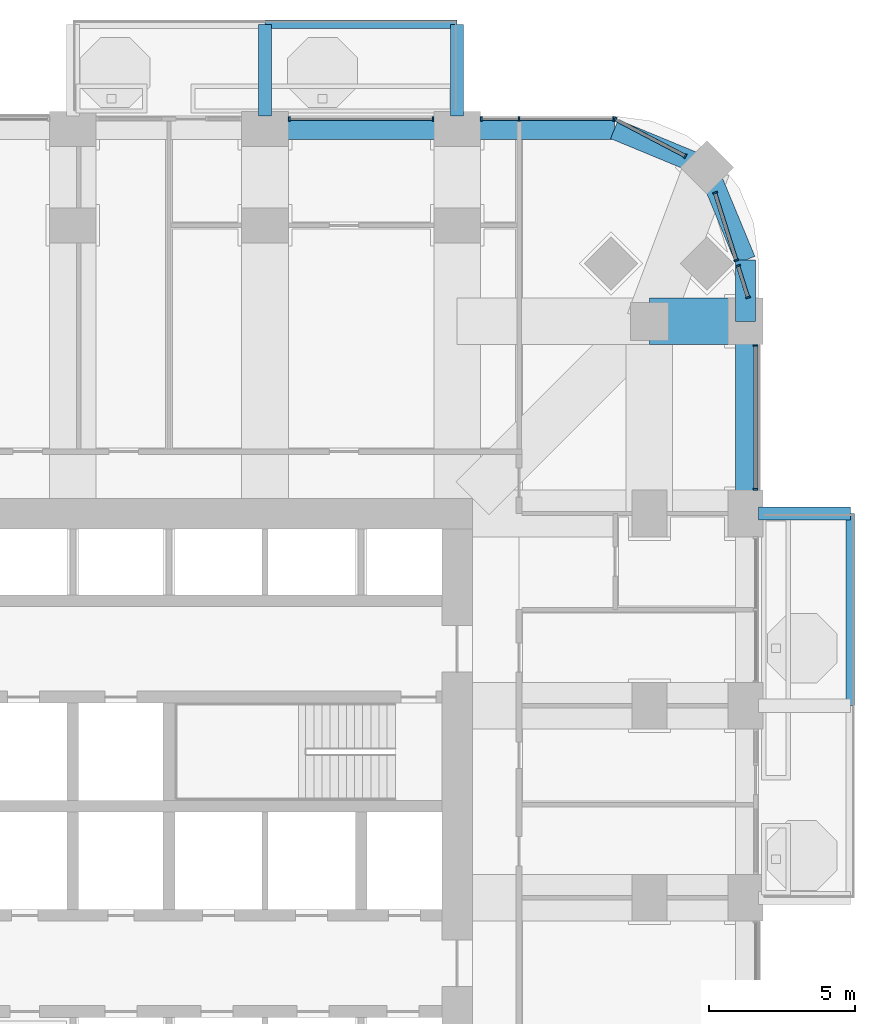
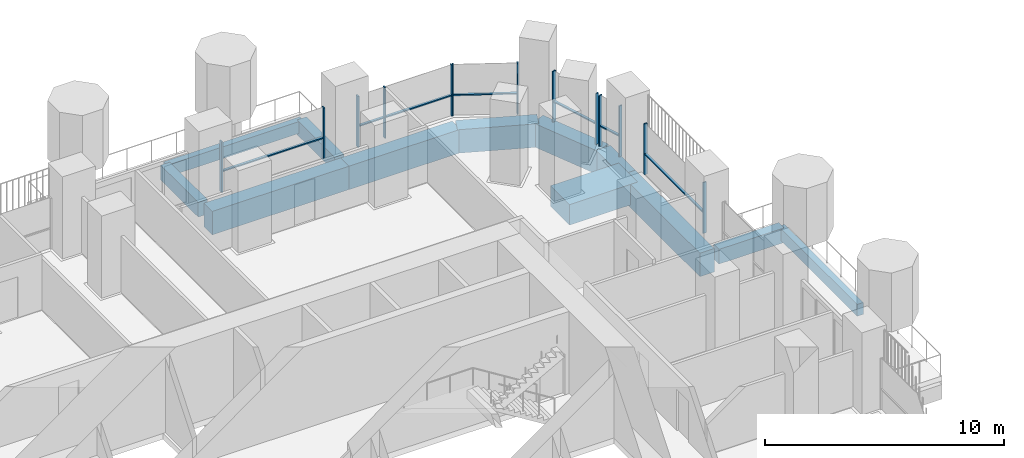
# One storey, part 8 of 22: 20 members, 12 beams, 6 elements without a shape of their own.
"""IFC4 building model written with IfcOpenShell, lengths in metres."""

from ifc_helpers import new_model, si_unit, direction, frame, origin, origin_2d, place, context, subcontext, project, spatial, rectangle, extrude, material, material_profile, profile_set, type_object, element, aggregate, save


model = new_model("IFC4")

# Units and contexts
model_context = context("Model", 3, precision=1e-05, world=origin(), true_north=direction((0.0, 1.0)))
body_context = subcontext(model_context, "Body", "Model", "MODEL_VIEW")
ifc_project = project(units=[si_unit("LENGTHUNIT", "METRE"), si_unit("AREAUNIT", "SQUARE_METRE"), si_unit("VOLUMEUNIT", "CUBIC_METRE"), si_unit("PLANEANGLEUNIT", "RADIAN"), si_unit("MASSUNIT", "GRAM", prefix="KILO")], contexts=[model_context])

# Site, building, storey
site_placement = place(None, origin())
site = spatial("IfcSite", under=ifc_project, at=site_placement, CompositionType="ELEMENT")
building_placement = place(site_placement, origin())
building = spatial("IfcBuilding", under=site, at=building_placement, Name="Cobogo Forest Laboratory Tower", CompositionType="ELEMENT")
storey_placement = place(building_placement, frame((0.0, 0.0, 136.800048828125)))
storey = spatial("IfcBuildingStorey", under=building, at=storey_placement, Name="L31", CompositionType="ELEMENT", Elevation=136.800048828125)

# Beams
ifc_material_1 = material(Name="Concrete HA-40 (C40/50)", Category="concrete")
ifc_material_profile_1 = material_profile(ifc_material_1, rectangle(XDim=0.449951171875, YDim=0.75, at=origin_2d()), Name="RC 450x750")
ifc_profile_set_1 = profile_set([ifc_material_profile_1], Name="Concrete HA-40 (C40/50)")
beam_type_1 = type_object("IfcBeamType", Name="Balcony cantilever beam 450x750", PredefinedType="BEAM", material=ifc_profile_set_1)
for number, where, z_axis, x_axis, name in (
    (1, (49.949951171875, 33.0, -0.625), (1.0, 0.0, 0.0), (0.0, 1.0, 0.0), "CB1 BAL-E1-C3 L31"),
    (2, (33.0, 46.64990234375, -0.625), (0.0, 1.0, 0.0), (-1.0, 0.0, 0.0), "CB1 BAL-N1-C2 L31"),
    (3, (39.60009765625, 46.64990234375, -0.625), (0.0, 1.0, 0.0), (-1.0, 0.0, 0.0), "CB1 BAL-N1-C3 L31"),
):
    element("IfcBeam", number, at=place(storey_placement, frame(where, z_axis=z_axis, x_axis=x_axis)), inside=storey, type_object=beam_type_1, Name=name, PredefinedType="BEAM", context=body_context, shape_type="SweptSolid", body=[
        extrude(rectangle(XDim=0.449951171875, YDim=0.75, at=origin_2d()), origin(), (0.0, 0.0, 1.0), 3.150146484375),
    ])
ifc_material_profile_2 = material_profile(ifc_material_1, rectangle(XDim=0.300048828125, YDim=0.60009765625, at=origin_2d()), Name="RC 300x600")
ifc_profile_set_2 = profile_set([ifc_material_profile_2], Name="Concrete HA-40 (C40/50)")
beam_type_2 = type_object("IfcBeamType", Name="Balcony edge beam 300x600", PredefinedType="BEAM", material=ifc_profile_set_2)
for number, where, z_axis, x_axis, name in (
    (4, (53.10009765625, 26.39990234375, -0.550048828125), (0.0, 1.0, 0.0), (-1.0, 0.0, 0.0), "BB1 BAL-E1-T2 L31"),
    (5, (33.0, 49.800048828125, -0.550048828125), (1.0, 0.0, 0.0), (0.0, 1.0, 0.0), "BB1 BAL-N1-T2 L31"),
):
    element("IfcBeam", number, at=place(storey_placement, frame(where, z_axis=z_axis, x_axis=x_axis)), inside=storey, type_object=beam_type_2, Name=name, PredefinedType="BEAM", context=body_context, shape_type="SweptSolid", body=[
        extrude(rectangle(XDim=0.300048828125, YDim=0.60009765625, at=origin_2d()), origin(), (0.0, 0.0, 1.0), 6.60009765625),
    ])
ifc_material_2 = material(Name="Concrete HA-50 (C50/60)", Category="concrete")
ifc_material_profile_3 = material_profile(ifc_material_2, rectangle(XDim=1.60009765625, YDim=1.050048828125, at=origin_2d()), Name="RC 1600x1050")
ifc_profile_set_3 = profile_set([ifc_material_profile_3], Name="Concrete HA-50 (C50/60)")
beam_type_3 = type_object("IfcBeamType", Name="Laboratory floor wide beam 1600x1050", PredefinedType="BEAM", material=ifc_profile_set_3)
beam_1_placement = place(storey_placement, frame((49.5, 39.60009765625, -0.824951171875), z_axis=(-1.0, 0.0, 0.0), x_axis=(0.0, -1.0, 0.0)))
element("IfcBeam", 6, at=beam_1_placement, inside=storey, type_object=beam_type_3, Name="RB8 G-NE-YF L31", PredefinedType="BEAM", context=body_context, shape_type="SweptSolid", body=[
    extrude(rectangle(XDim=1.60009765625, YDim=1.050048828125, at=origin_2d()), origin(), (0.0, 0.0, 1.0), 3.300048828125),
])

# Curtain wall, members
ifc_material_3 = material(Name="Aluminium curtain wall", Category="aluminium")
curtain_wall_type = type_object("IfcCurtainWallType", Name="CW-1 unitised curtain wall, clear glazing, laboratory floors zones A and B", PredefinedType="USERDEFINED", material=ifc_material_3)
curtain_wall_1_placement = place(storey_placement, origin())
curtain_wall_1 = element("IfcCurtainWall", 7, at=curtain_wall_1_placement, inside=storey, type_object=curtain_wall_type, Name="Curtain wall 14 L31", ObjectType="UNITISED CURTAIN WALL", PredefinedType="USERDEFINED")
ifc_material_4 = material(Name="Aluminium mullion", Category="aluminium")
ifc_material_profile_4 = material_profile(ifc_material_4, rectangle(XDim=0.06005859375, YDim=0.159912109375, at=origin_2d()), Name="AL 60x160")
ifc_profile_set_4 = profile_set([ifc_material_profile_4], Name="Aluminium mullion")
member_type_1 = type_object("IfcMemberType", Name="MU-1 aluminium mullion 60x160", PredefinedType="MULLION", material=ifc_profile_set_4)
member_1_placement = place(storey_placement, frame((49.85009765625, 33.830078125, 0.0), z_axis=(0.0, 0.0, 1.0), x_axis=(0.0, 1.0, 0.0)))
member_1 = element("IfcMember", 8, at=member_1_placement, type_object=member_type_1, Name="CW-1 mullion 1", PredefinedType="MULLION", context=body_context, shape_type="SweptSolid", body=[
    extrude(rectangle(XDim=0.06005859375, YDim=0.159912109375, at=origin_2d()), origin(), (0.0, 0.0, 1.0), 2.599853515625),
])
member_2_placement = place(storey_placement, frame((49.85009765625, 38.77001953125, 0.0), z_axis=(0.0, 0.0, 1.0), x_axis=(0.0, 1.0, 0.0)))
member_2 = element("IfcMember", 9, at=member_2_placement, type_object=member_type_1, Name="CW-1 mullion 2", PredefinedType="MULLION", context=body_context, shape_type="SweptSolid", body=[
    extrude(rectangle(XDim=0.06005859375, YDim=0.159912109375, at=origin_2d()), origin(), (0.0, 0.0, 1.0), 2.599853515625),
])

curtain_wall_2_placement = place(storey_placement, origin())
curtain_wall_2 = element("IfcCurtainWall", 10, at=curtain_wall_2_placement, inside=storey, type_object=curtain_wall_type, Name="Curtain wall 15 L31", ObjectType="UNITISED CURTAIN WALL", PredefinedType="USERDEFINED")
member_3_placement = place(storey_placement, frame((49.58837890625, 40.4287109375, 0.0), z_axis=(0.0, 0.0, 1.0), x_axis=(-0.301135667865, 0.953581307252, 0.0)))
member_3 = element("IfcMember", 11, at=member_3_placement, type_object=member_type_1, Name="CW-1 mullion 1", PredefinedType="MULLION", context=body_context, shape_type="SweptSolid", body=[
    extrude(rectangle(XDim=0.06005859375, YDim=0.159912109375, at=origin_2d()), origin(), (0.0, 0.0, 1.0), 2.599853515625),
])
member_4_placement = place(storey_placement, frame((49.247802734375, 41.507080078125, 0.0), z_axis=(0.0, 0.0, 1.0), x_axis=(-0.301135667865, 0.953581307252, 0.0)))
member_4 = element("IfcMember", 12, at=member_4_placement, type_object=member_type_1, Name="CW-1 mullion 2", PredefinedType="MULLION", context=body_context, shape_type="SweptSolid", body=[
    extrude(rectangle(XDim=0.06005859375, YDim=0.159912109375, at=origin_2d()), origin(), (0.0, 0.0, 1.0), 2.599853515625),
])

curtain_wall_3_placement = place(storey_placement, origin())
curtain_wall_3 = element("IfcCurtainWall", 13, at=curtain_wall_3_placement, inside=storey, type_object=curtain_wall_type, Name="Curtain wall 16 L31", ObjectType="UNITISED CURTAIN WALL", PredefinedType="USERDEFINED")
member_5_placement = place(storey_placement, frame((49.18701171875, 41.69970703125, 0.0), z_axis=(0.0, 0.0, 1.0), x_axis=(-0.301135291996, 0.953581425949, 0.0)))
member_5 = element("IfcMember", 14, at=member_5_placement, type_object=member_type_1, Name="CW-1 mullion 1", PredefinedType="MULLION", context=body_context, shape_type="SweptSolid", body=[
    extrude(rectangle(XDim=0.06005859375, YDim=0.159912109375, at=origin_2d()), origin(), (0.0, 0.0, 1.0), 2.599853515625),
])
member_6_placement = place(storey_placement, frame((48.455810546875, 44.01513671875, 0.0), z_axis=(0.0, 0.0, 1.0), x_axis=(-0.301135291996, 0.953581425949, 0.0)))
member_6 = element("IfcMember", 15, at=member_6_placement, type_object=member_type_1, Name="CW-1 mullion 2", PredefinedType="MULLION", context=body_context, shape_type="SweptSolid", body=[
    extrude(rectangle(XDim=0.06005859375, YDim=0.159912109375, at=origin_2d()), origin(), (0.0, 0.0, 1.0), 2.599853515625),
])

curtain_wall_4_placement = place(storey_placement, origin())
curtain_wall_4 = element("IfcCurtainWall", 16, at=curtain_wall_4_placement, inside=storey, type_object=curtain_wall_type, Name="Curtain wall 17 L31", ObjectType="UNITISED CURTAIN WALL", PredefinedType="USERDEFINED")
member_7_placement = place(storey_placement, frame((47.431640625, 45.275390625, 0.0), z_axis=(0.0, 0.0, 1.0), x_axis=(-0.885686547075, 0.464283685186, 0.0)))
member_7 = element("IfcMember", 17, at=member_7_placement, type_object=member_type_1, Name="CW-1 mullion 1", PredefinedType="MULLION", context=body_context, shape_type="SweptSolid", body=[
    extrude(rectangle(XDim=0.06005859375, YDim=0.159912109375, at=origin_2d()), origin(), (0.0, 0.0, 1.0), 2.599853515625),
])
member_8_placement = place(storey_placement, frame((45.026611328125, 46.5361328125, 0.0), z_axis=(0.0, 0.0, 1.0), x_axis=(-0.885686547075, 0.464283685186, 0.0)))
member_8 = element("IfcMember", 18, at=member_8_placement, type_object=member_type_1, Name="CW-1 mullion 2", PredefinedType="MULLION", context=body_context, shape_type="SweptSolid", body=[
    extrude(rectangle(XDim=0.06005859375, YDim=0.159912109375, at=origin_2d()), origin(), (0.0, 0.0, 1.0), 2.599853515625),
])

curtain_wall_5_placement = place(storey_placement, origin())
curtain_wall_5 = element("IfcCurtainWall", 19, at=curtain_wall_5_placement, inside=storey, type_object=curtain_wall_type, Name="Curtain wall 18 L31", ObjectType="UNITISED CURTAIN WALL", PredefinedType="USERDEFINED")
member_9_placement = place(storey_placement, frame((44.969970703125, 46.550048828125, 0.0), z_axis=(0.0, 0.0, 1.0), x_axis=(-1.0, 0.0, 0.0)))
member_9 = element("IfcMember", 20, at=member_9_placement, type_object=member_type_1, Name="CW-1 mullion 1", PredefinedType="MULLION", context=body_context, shape_type="SweptSolid", body=[
    extrude(rectangle(XDim=0.06005859375, YDim=0.159912109375, at=origin_2d()), origin(), (0.0, 0.0, 1.0), 2.599853515625),
])
member_10_placement = place(storey_placement, frame((41.72509765625, 46.550048828125, 0.0), z_axis=(0.0, 0.0, 1.0), x_axis=(-1.0, 0.0, 0.0)))
member_10 = element("IfcMember", 21, at=member_10_placement, type_object=member_type_1, Name="CW-1 mullion 2", PredefinedType="MULLION", context=body_context, shape_type="SweptSolid", body=[
    extrude(rectangle(XDim=0.06005859375, YDim=0.159912109375, at=origin_2d()), origin(), (0.0, 0.0, 1.0), 2.599853515625),
])
member_11_placement = place(storey_placement, frame((40.429931640625, 46.550048828125, 0.0), z_axis=(0.0, 0.0, 1.0), x_axis=(-1.0, 0.0, 0.0)))
member_11 = element("IfcMember", 22, at=member_11_placement, type_object=member_type_1, Name="CW-1 mullion 3", PredefinedType="MULLION", context=body_context, shape_type="SweptSolid", body=[
    extrude(rectangle(XDim=0.06005859375, YDim=0.159912109375, at=origin_2d()), origin(), (0.0, 0.0, 1.0), 2.599853515625),
])

curtain_wall_6_placement = place(storey_placement, origin())
curtain_wall_6 = element("IfcCurtainWall", 23, at=curtain_wall_6_placement, inside=storey, type_object=curtain_wall_type, Name="Curtain wall 19 L31", ObjectType="UNITISED CURTAIN WALL", PredefinedType="USERDEFINED")
member_12_placement = place(storey_placement, frame((38.77001953125, 46.550048828125, 0.0), z_axis=(0.0, 0.0, 1.0), x_axis=(-1.0, 0.0, 0.0)))
member_12 = element("IfcMember", 24, at=member_12_placement, type_object=member_type_1, Name="CW-1 mullion 1", PredefinedType="MULLION", context=body_context, shape_type="SweptSolid", body=[
    extrude(rectangle(XDim=0.06005859375, YDim=0.159912109375, at=origin_2d()), origin(), (0.0, 0.0, 1.0), 2.599853515625),
])
member_13_placement = place(storey_placement, frame((33.830078125, 46.550048828125, 0.0), z_axis=(0.0, 0.0, 1.0), x_axis=(-1.0, 0.0, 0.0)))
member_13 = element("IfcMember", 25, at=member_13_placement, type_object=member_type_1, Name="CW-1 mullion 2", PredefinedType="MULLION", context=body_context, shape_type="SweptSolid", body=[
    extrude(rectangle(XDim=0.06005859375, YDim=0.159912109375, at=origin_2d()), origin(), (0.0, 0.0, 1.0), 2.599853515625),
])

# Beams
ifc_material_profile_5 = material_profile(ifc_material_1, rectangle(XDim=0.699951171875, YDim=1.199951171875, at=origin_2d()), Name="RC 700x1200")
ifc_profile_set_5 = profile_set([ifc_material_profile_5], Name="Concrete HA-40 (C40/50)")
beam_type_4 = type_object("IfcBeamType", Name="Perimeter edge beam 700x1200", PredefinedType="BEAM", material=ifc_profile_set_5)
for number, where, z_axis, x_axis, name in (
    (26, (49.5, 33.0, -0.900146484375), (0.0, 1.0, 0.0), (-1.0, 0.0, 0.0), "EB1 E-E5 L31"),
    (27, (33.0, 46.199951171875, -0.900146484375), (1.0, 0.0, 0.0), (0.0, 1.0, 0.0), "EB1 E-N4 L31"),
):
    element("IfcBeam", number, at=place(storey_placement, frame(where, z_axis=z_axis, x_axis=x_axis)), inside=storey, type_object=beam_type_4, Name=name, PredefinedType="BEAM", context=body_context, shape_type="SweptSolid", body=[
        extrude(rectangle(XDim=0.699951171875, YDim=1.199951171875, at=origin_2d()), origin(), (0.0, 0.0, 1.0), 6.60009765625),
    ])
beam_2_placement = place(storey_placement, frame((49.5, 39.60009765625, -0.900146484375), z_axis=(0.0, 1.0, 0.0), x_axis=(-1.0, 0.0, 0.0)))
element("IfcBeam", 28, at=beam_2_placement, inside=storey, type_object=beam_type_4, Name="EB1 E-NEE1 L31", PredefinedType="BEAM", context=body_context, shape_type="SweptSolid", body=[
    extrude(rectangle(XDim=0.699951171875, YDim=1.199951171875, at=origin_2d()), origin(), (0.0, 0.0, 1.0), 2.099853515625),
])
beam_3_placement = place(storey_placement, frame((49.5, 41.699951171875, -0.900146484375), z_axis=(-0.382691928466, 0.923876013265, 0.0), x_axis=(-0.923876013265, -0.382691928466, 0.0)))
element("IfcBeam", 29, at=beam_3_placement, inside=storey, type_object=beam_type_4, Name="EB1 E-NEE2 L31", PredefinedType="BEAM", context=body_context, shape_type="SweptSolid", body=[
    extrude(rectangle(XDim=0.699951171875, YDim=1.199951171875, at=origin_2d()), origin(), (0.0, 0.0, 1.0), 3.4443359375),
])
beam_4_placement = place(storey_placement, frame((39.60009765625, 46.199951171875, -0.900146484375), z_axis=(1.0, 0.0, 0.0), x_axis=(0.0, 1.0, 0.0)))
element("IfcBeam", 30, at=beam_4_placement, inside=storey, type_object=beam_type_4, Name="EB1 E-NEN1 L31", PredefinedType="BEAM", context=body_context, shape_type="SweptSolid", body=[
    extrude(rectangle(XDim=0.699951171875, YDim=1.199951171875, at=origin_2d()), origin(), (0.0, 0.0, 1.0), 5.39990234375),
])
beam_5_placement = place(storey_placement, frame((45.0, 46.199951171875, -0.900146484375), z_axis=(0.923890694089, -0.382656484822, 0.0), x_axis=(0.382656484822, 0.923890694089, 0.0)))
element("IfcBeam", 31, at=beam_5_placement, inside=storey, type_object=beam_type_4, Name="EB1 E-NEN2 L31", PredefinedType="BEAM", context=body_context, shape_type="SweptSolid", body=[
    extrude(rectangle(XDim=0.699951171875, YDim=1.199951171875, at=origin_2d()), origin(), (0.0, 0.0, 1.0), 3.444091796875),
])

# Member
ifc_material_5 = material(Name="Aluminium transom", Category="aluminium")
ifc_material_profile_6 = material_profile(ifc_material_5, rectangle(XDim=0.1201171875, YDim=0.06005859375, at=origin_2d()), Name="AL 60x120")
ifc_profile_set_6 = profile_set([ifc_material_profile_6], Name="Aluminium transom")
member_type_2 = type_object("IfcMemberType", Name="TR-1 aluminium transom 60x120", PredefinedType="USERDEFINED", material=ifc_profile_set_6)
member_14_placement = place(storey_placement, frame((49.85009765625, 33.860107421875, 1.050048828125), z_axis=(0.0, 1.0, 0.0), x_axis=(-1.0, 0.0, 0.0)))
member_14 = element("IfcMember", 32, at=member_14_placement, type_object=member_type_2, Name="CW-1 transom 1.1", ObjectType="TRANSOM", PredefinedType="USERDEFINED", context=body_context, shape_type="SweptSolid", body=[
    extrude(rectangle(XDim=0.1201171875, YDim=0.06005859375, at=origin_2d()), origin(), (0.0, 0.0, 1.0), 4.8798828125),
])

aggregate(curtain_wall_1, [member_1, member_2, member_14])

member_15_placement = place(storey_placement, frame((49.579345703125, 40.457275390625, 1.050048828125), z_axis=(-0.3011422781, 0.953579219751, 0.0), x_axis=(-0.953579219751, -0.3011422781, 0.0)))
member_15 = element("IfcMember", 33, at=member_15_placement, type_object=member_type_2, Name="CW-1 transom 1.1", ObjectType="TRANSOM", PredefinedType="USERDEFINED", context=body_context, shape_type="SweptSolid", body=[
    extrude(rectangle(XDim=0.1201171875, YDim=0.06005859375, at=origin_2d()), origin(), (0.0, 0.0, 1.0), 1.071044921875),
])

aggregate(curtain_wall_2, [member_3, member_4, member_15])

member_16_placement = place(storey_placement, frame((49.177978515625, 41.728271484375, 1.050048828125), z_axis=(-0.301156039198, 0.953574873859, 0.0), x_axis=(-0.953574873859, -0.301156039198, 0.0)))
member_16 = element("IfcMember", 34, at=member_16_placement, type_object=member_type_2, Name="CW-1 transom 1.1", ObjectType="TRANSOM", PredefinedType="USERDEFINED", context=body_context, shape_type="SweptSolid", body=[
    extrude(rectangle(XDim=0.1201171875, YDim=0.06005859375, at=origin_2d()), origin(), (0.0, 0.0, 1.0), 2.367919921875),
])

aggregate(curtain_wall_3, [member_5, member_6, member_16])

member_17_placement = place(storey_placement, frame((47.405029296875, 45.289306640625, 1.050048828125), z_axis=(-0.885674922116, 0.464305860758, 0.0), x_axis=(-0.464305860758, -0.885674922116, 0.0)))
member_17 = element("IfcMember", 35, at=member_17_placement, type_object=member_type_2, Name="CW-1 transom 1.1", ObjectType="TRANSOM", PredefinedType="USERDEFINED", context=body_context, shape_type="SweptSolid", body=[
    extrude(rectangle(XDim=0.1201171875, YDim=0.06005859375, at=origin_2d()), origin(), (0.0, 0.0, 1.0), 2.6552734375),
])

aggregate(curtain_wall_4, [member_7, member_8, member_17])

member_18_placement = place(storey_placement, frame((44.93994140625, 46.550048828125, 1.050048828125), z_axis=(-1.0, 0.0, 0.0), x_axis=(0.0, -1.0, 0.0)))
member_18 = element("IfcMember", 36, at=member_18_placement, type_object=member_type_2, Name="CW-1 transom 1.1", ObjectType="TRANSOM", PredefinedType="USERDEFINED", context=body_context, shape_type="SweptSolid", body=[
    extrude(rectangle(XDim=0.1201171875, YDim=0.06005859375, at=origin_2d()), origin(), (0.0, 0.0, 1.0), 3.18505859375),
])

member_19_placement = place(storey_placement, frame((41.695068359375, 46.550048828125, 1.050048828125), z_axis=(-1.0, 0.0, 0.0), x_axis=(0.0, -1.0, 0.0)))
member_19 = element("IfcMember", 37, at=member_19_placement, type_object=member_type_2, Name="CW-1 transom 2.1", ObjectType="TRANSOM", PredefinedType="USERDEFINED", context=body_context, shape_type="SweptSolid", body=[
    extrude(rectangle(XDim=0.1201171875, YDim=0.06005859375, at=origin_2d()), origin(), (0.0, 0.0, 1.0), 1.235107421875),
])

aggregate(curtain_wall_5, [member_9, member_10, member_11, member_18, member_19])

member_20_placement = place(storey_placement, frame((38.739990234375, 46.550048828125, 1.050048828125), z_axis=(-1.0, 0.0, 0.0), x_axis=(0.0, -1.0, 0.0)))
member_20 = element("IfcMember", 38, at=member_20_placement, type_object=member_type_2, Name="CW-1 transom 1.1", ObjectType="TRANSOM", PredefinedType="USERDEFINED", context=body_context, shape_type="SweptSolid", body=[
    extrude(rectangle(XDim=0.1201171875, YDim=0.06005859375, at=origin_2d()), origin(), (0.0, 0.0, 1.0), 4.8798828125),
])

aggregate(curtain_wall_6, [member_12, member_13, member_20])

save(model, "model.ifc")
